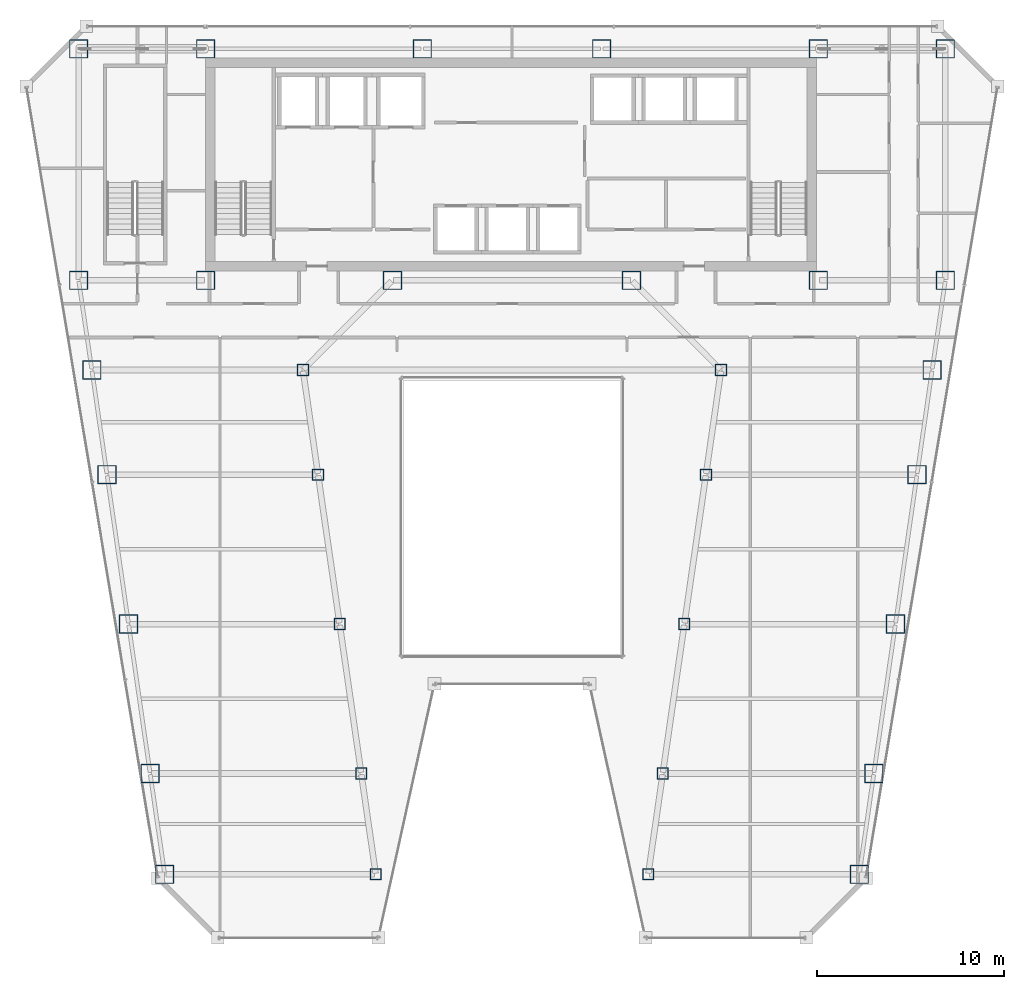
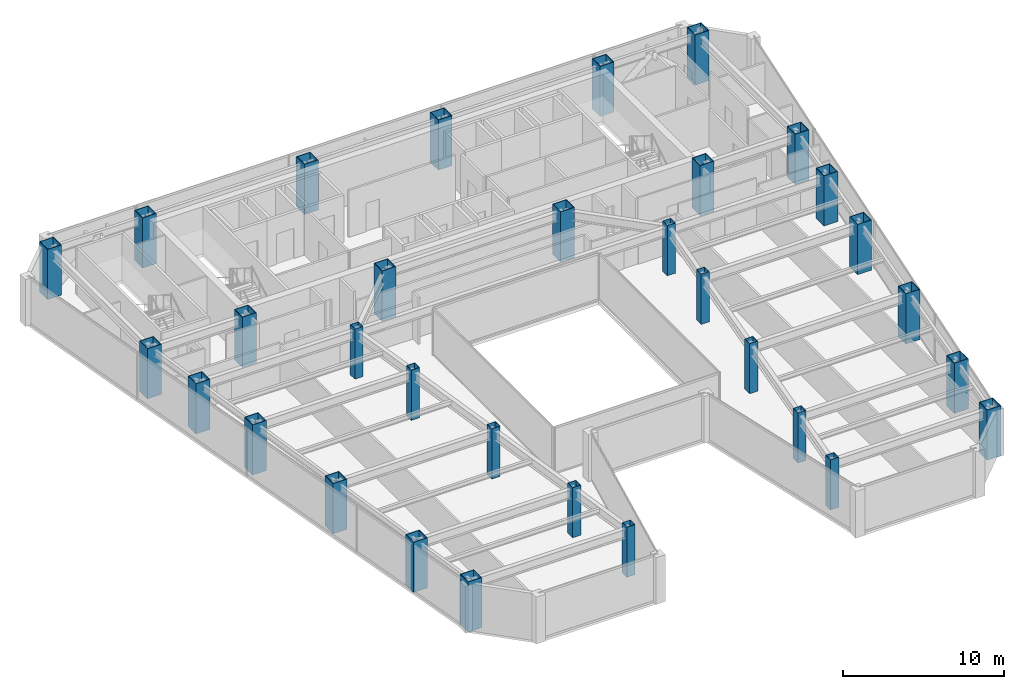
# One storey, part 1 of 36: 32 columns.
"""IFC4 building model written with IfcOpenShell, lengths in metres."""

from ifc_helpers import new_model, si_unit, direction, frame, origin, origin_2d, place, context, subcontext, project, spatial, hollow_rectangle, extrude, material, material_profile, profile_set, type_object, element, save


model = new_model("IFC4")

# Units and contexts
model_context = context("Model", 3, precision=1e-05, world=origin(), true_north=direction((0.0, 1.0)))
body_context = subcontext(model_context, "Body", "Model", "MODEL_VIEW")
ifc_project = project(units=[si_unit("LENGTHUNIT", "METRE"), si_unit("AREAUNIT", "SQUARE_METRE"), si_unit("VOLUMEUNIT", "CUBIC_METRE"), si_unit("PLANEANGLEUNIT", "RADIAN"), si_unit("MASSUNIT", "GRAM", prefix="KILO")], contexts=[model_context])

# Site, building, storey
site_placement = place(None, origin())
site = spatial("IfcSite", under=ifc_project, at=site_placement, CompositionType="ELEMENT")
building_placement = place(site_placement, origin())
building = spatial("IfcBuilding", under=site, at=building_placement, Name="Saevonmaru Cultural Tower", CompositionType="ELEMENT")
storey_placement = place(building_placement, frame((0.0, 0.0, 156.199951171875)))
storey = spatial("IfcBuildingStorey", under=building, at=storey_placement, Name="L34", CompositionType="ELEMENT", Elevation=156.199951171875)

# Columns
ifc_material_1 = material(Name="Steel SM420", Category="steel")
ifc_material_profile_1 = material_profile(ifc_material_1, hollow_rectangle(XDim=1.0, YDim=1.0, WallThickness=0.044921875, at=origin_2d()), Name="BOX-1000x1000x45")
ifc_profile_set_1 = profile_set([ifc_material_profile_1], Name="Steel SM420")
column_type_1 = type_object("IfcColumnType", Name="COL-BOX-1000", PredefinedType="COLUMN", material=ifc_profile_set_1)
for number, where, z_axis, x_axis, name in (
    (1, (6.800048828125, 54.800048828125, 0.0), (0.0, 0.0, 1.0), (1.0, 0.0, 0.0), "L34 Column TC-N1N"),
    (2, (13.60009765625, 54.800048828125, 0.0), (0.0, 0.0, 1.0), (1.0, 0.0, 0.0), "L34 Column TC-N2N"),
    (3, (25.199951171875, 54.800048828125, 0.0), (0.0, 0.0, 1.0), (1.0, 0.0, 0.0), "L34 Column TC-N3N"),
    (4, (34.800048828125, 54.800048828125, 0.0), (0.0, 0.0, 1.0), (1.0, 0.0, 0.0), "L34 Column TC-N4N"),
    (5, (46.39990234375, 54.800048828125, 0.0), (0.0, 0.0, 1.0), (1.0, 0.0, 0.0), "L34 Column TC-N5N"),
    (6, (53.199951171875, 54.800048828125, 0.0), (0.0, 0.0, 1.0), (1.0, 0.0, 0.0), "L34 Column TC-N6N"),
    (7, (6.800048828125, 42.39990234375, 0.0), (0.0, 0.0, 1.0), (1.0, 0.0, 0.0), "L34 Column TC-S1C"),
    (8, (13.60009765625, 42.39990234375, 0.0), (0.0, 0.0, 1.0), (1.0, 0.0, 0.0), "L34 Column TC-S2C"),
    (9, (23.60009765625, 42.39990234375, 0.0), (0.0, 0.0, 1.0), (1.0, 0.0, 0.0), "L34 Column TC-S3C"),
    (10, (36.39990234375, 42.39990234375, 0.0), (0.0, 0.0, 1.0), (1.0, 0.0, 0.0), "L34 Column TC-S4C"),
    (11, (46.39990234375, 42.39990234375, 0.0), (0.0, 0.0, 1.0), (1.0, 0.0, 0.0), "L34 Column TC-S5C"),
    (12, (53.199951171875, 42.39990234375, 0.0), (0.0, 0.0, 1.0), (1.0, 0.0, 0.0), "L34 Column TC-S6C"),
    (13, (11.407958984375, 10.60009765625, 0.0), (0.0, 0.0, 1.0), (1.0, 0.0, 0.0), "L34 Column TC-WO-Y106"),
    (14, (48.592041015625, 10.60009765625, 0.0), (0.0, 0.0, 1.0), (1.0, 0.0, 0.0), "L34 Column TC-EO-Y106"),
    (15, (10.6279296875, 16.0, 0.0), (0.0, 0.0, 1.0), (1.0, 0.0, 0.0), "L34 Column TC-WO-Y160"),
    (16, (49.3720703125, 16.0, 0.0), (0.0, 0.0, 1.0), (1.0, 0.0, 0.0), "L34 Column TC-EO-Y160"),
    (17, (9.471923828125, 24.0, 0.0), (0.0, 0.0, 1.0), (1.0, 0.0, 0.0), "L34 Column TC-WO-Y240"),
    (18, (50.528076171875, 24.0, 0.0), (0.0, 0.0, 1.0), (1.0, 0.0, 0.0), "L34 Column TC-EO-Y240"),
    (19, (8.31689453125, 32.0, 0.0), (0.0, 0.0, 1.0), (1.0, 0.0, 0.0), "L34 Column TC-WO-Y320"),
    (20, (51.68310546875, 32.0, 0.0), (0.0, 0.0, 1.0), (1.0, 0.0, 0.0), "L34 Column TC-EO-Y320"),
    (21, (7.508056640625, 37.60009765625, 0.0), (0.0, 0.0, 1.0), (1.0, 0.0, 0.0), "L34 Column TC-WO-Y376"),
    (22, (52.491943359375, 37.60009765625, 0.0), (0.0, 0.0, 1.0), (1.0, 0.0, 0.0), "L34 Column TC-EO-Y376"),
):
    element("IfcColumn", number, at=place(storey_placement, frame(where, z_axis=z_axis, x_axis=x_axis)), inside=storey, type_object=column_type_1, Name=name, PredefinedType="COLUMN", context=body_context, shape_type="SweptSolid", body=[
        extrude(hollow_rectangle(XDim=1.0, YDim=1.0, WallThickness=0.044921875, at=origin_2d()), origin(), (0.0, 0.0, 1.0), 3.800048828125),
    ])
ifc_material_2 = material(Name="Steel SM355", Category="steel")
ifc_material_profile_2 = material_profile(ifc_material_2, hollow_rectangle(XDim=0.60009765625, YDim=0.60009765625, WallThickness=0.028076171875, at=origin_2d()), Name="BOX-600x600x28")
ifc_profile_set_2 = profile_set([ifc_material_profile_2], Name="Steel SM355")
column_type_2 = type_object("IfcColumnType", Name="COL-BOX-600", PredefinedType="COLUMN", material=ifc_profile_set_2)
for number, where, z_axis, x_axis, name in (
    (23, (22.7080078125, 10.60009765625, 0.0), (0.0, 0.0, 1.0), (1.0, 0.0, 0.0), "L34 Column TC-WI-Y106"),
    (24, (37.2919921875, 10.60009765625, 0.0), (0.0, 0.0, 1.0), (1.0, 0.0, 0.0), "L34 Column TC-EI-Y106"),
    (25, (21.927978515625, 16.0, 0.0), (0.0, 0.0, 1.0), (1.0, 0.0, 0.0), "L34 Column TC-WI-Y160"),
    (26, (38.072021484375, 16.0, 0.0), (0.0, 0.0, 1.0), (1.0, 0.0, 0.0), "L34 Column TC-EI-Y160"),
    (27, (20.77197265625, 24.0, 0.0), (0.0, 0.0, 1.0), (1.0, 0.0, 0.0), "L34 Column TC-WI-Y240"),
    (28, (39.22802734375, 24.0, 0.0), (0.0, 0.0, 1.0), (1.0, 0.0, 0.0), "L34 Column TC-EI-Y240"),
    (29, (19.616943359375, 32.0, 0.0), (0.0, 0.0, 1.0), (1.0, 0.0, 0.0), "L34 Column TC-WI-Y320"),
    (30, (40.383056640625, 32.0, 0.0), (0.0, 0.0, 1.0), (1.0, 0.0, 0.0), "L34 Column TC-EI-Y320"),
    (31, (18.80810546875, 37.60009765625, 0.0), (0.0, 0.0, 1.0), (1.0, 0.0, 0.0), "L34 Column TC-WI-Y376"),
    (32, (41.19189453125, 37.60009765625, 0.0), (0.0, 0.0, 1.0), (1.0, 0.0, 0.0), "L34 Column TC-EI-Y376"),
):
    element("IfcColumn", number, at=place(storey_placement, frame(where, z_axis=z_axis, x_axis=x_axis)), inside=storey, type_object=column_type_2, Name=name, PredefinedType="COLUMN", context=body_context, shape_type="SweptSolid", body=[
        extrude(hollow_rectangle(XDim=0.60009765625, YDim=0.60009765625, WallThickness=0.028076171875, at=origin_2d()), origin(), (0.0, 0.0, 1.0), 3.800048828125),
    ])

save(model, "model.ifc")
